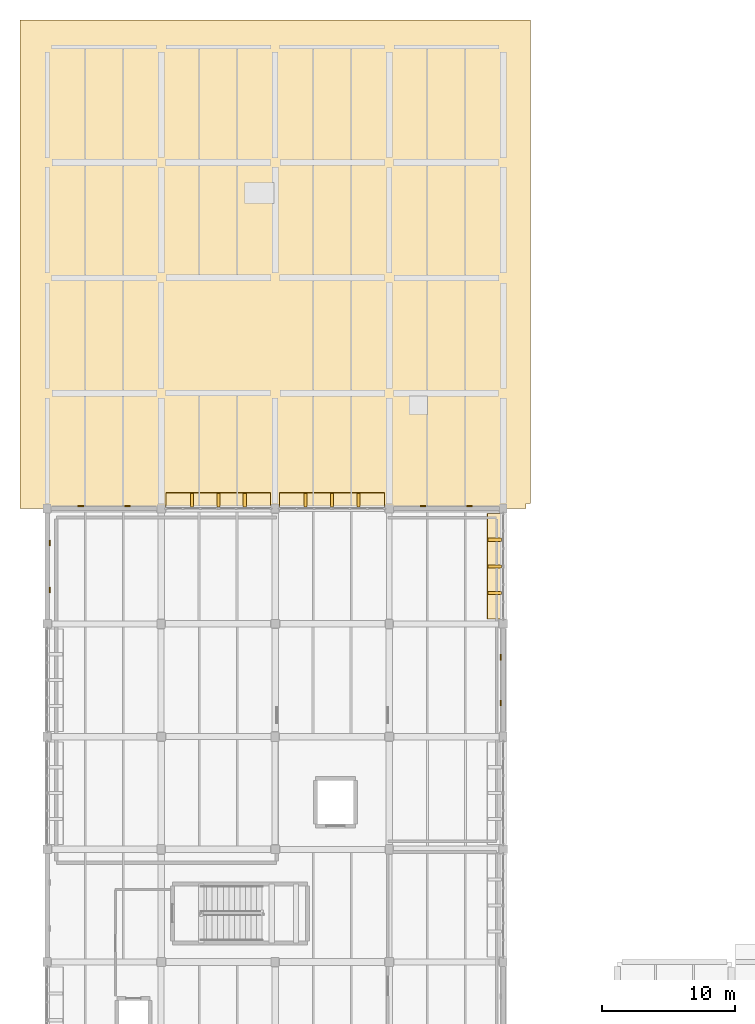
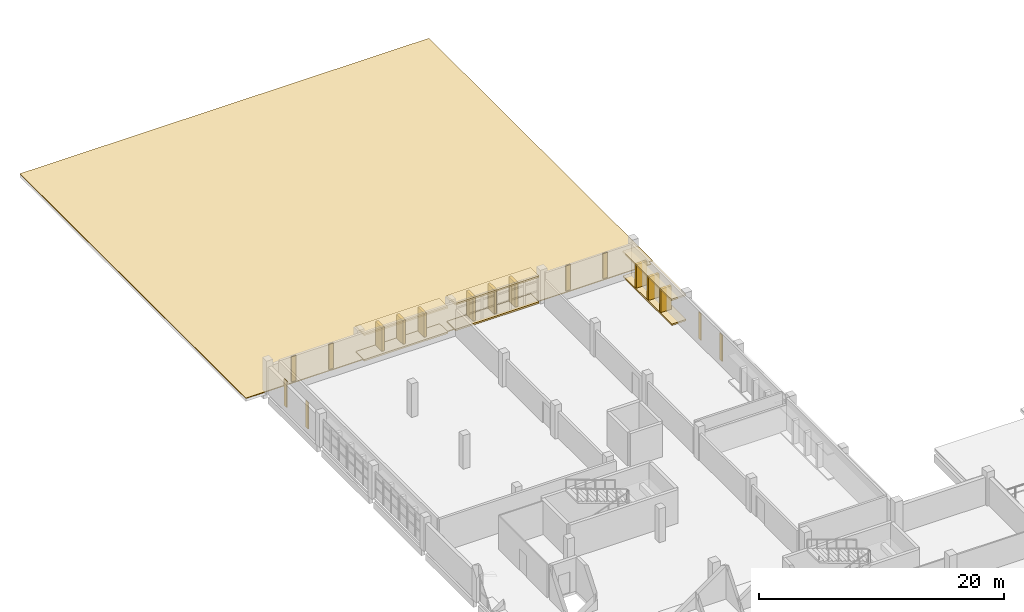
# One storey, part 92 of 93: 15 coverings, 9 shading devices.
"""IFC4 building model written with IfcOpenShell, lengths in metres."""

from ifc_helpers import new_model, si_unit, direction, frame, origin, origin_2d, place, context, subcontext, project, spatial, polyline, rectangle, outline, extrude, material, layer, layer_set, type_object, element, save


model = new_model("IFC4")

# Units and contexts
model_context = context("Model", 3, precision=1e-05, world=origin(), true_north=direction((0.0, 1.0)))
body_context = subcontext(model_context, "Body", "Model", "MODEL_VIEW")
ifc_project = project(units=[si_unit("LENGTHUNIT", "METRE"), si_unit("AREAUNIT", "SQUARE_METRE"), si_unit("VOLUMEUNIT", "CUBIC_METRE"), si_unit("PLANEANGLEUNIT", "RADIAN"), si_unit("MASSUNIT", "GRAM", prefix="KILO")], contexts=[model_context])

# Site, building, storey
site_placement = place(None, origin())
site = spatial("IfcSite", under=ifc_project, at=site_placement, CompositionType="ELEMENT")
building_placement = place(site_placement, origin())
building = spatial("IfcBuilding", under=site, at=building_placement, Name="Varnakota Cinema and Media Centre", CompositionType="ELEMENT")
storey_placement = place(building_placement, frame((0.0, 0.0, 12.0)))
storey = spatial("IfcBuildingStorey", under=building, at=storey_placement, Name="L03", CompositionType="ELEMENT", Elevation=12.0)

# Coverings
ifc_material_1 = material(Name="Precast concrete M40", Category="concrete")
ifc_layer_1 = layer(ifc_material_1, 0.159912109375)
ifc_layer_set_1 = layer_set([ifc_layer_1], Name="Precast concrete M40")
covering_type_1 = type_object("IfcCoveringType", Name="COV-CHAJJA-160", PredefinedType="CLADDING", material=ifc_layer_set_1)
covering_1_placement = place(storey_placement, frame((0.0, 0.0, 2.47509765625)))
element("IfcCovering", 1, at=covering_1_placement, inside=storey, type_object=covering_type_1, Name="L03 Brutalist chajja overhang V5-E-5", PredefinedType="CLADDING", context=body_context, shape_type="SweptSolid", body=[
    extrude(outline(polyline([(34.580078125, 69.864990234375), (34.580078125, 77.81005859375), (33.179931640625, 77.81005859375), (33.179931640625, 69.864990234375), (34.580078125, 69.864990234375)])), origin(), (0.0, 0.0, 1.0), 0.159912109375),
])
covering_2_placement = place(storey_placement, origin())
element("IfcCovering", 2, at=covering_2_placement, inside=storey, type_object=covering_type_1, Name="L03 brise-soleil base plinth V5-E-5", PredefinedType="CLADDING", context=body_context, shape_type="SweptSolid", body=[
    extrude(outline(polyline([(34.580078125, 69.864990234375), (34.580078125, 77.81005859375), (33.219970703125, 77.81005859375), (33.219970703125, 69.864990234375), (34.580078125, 69.864990234375)])), origin(), (0.0, 0.0, 1.0), 0.159912109375),
])
covering_3_placement = place(storey_placement, frame((0.0, 0.0, 2.52490234375)))
element("IfcCovering", 3, at=covering_3_placement, inside=storey, type_object=covering_type_1, Name="L03 Brutalist chajja overhang V5-N-2", PredefinedType="CLADDING", context=body_context, shape_type="SweptSolid", body=[
    extrude(outline(polyline([(8.965087890625, 78.02001953125), (16.860107421875, 78.02001953125), (16.860107421875, 79.419921875), (8.965087890625, 79.419921875), (8.965087890625, 78.02001953125)])), origin(), (0.0, 0.0, 1.0), 0.16015625),
])
covering_4_placement = place(storey_placement, origin())
element("IfcCovering", 4, at=covering_4_placement, inside=storey, type_object=covering_type_1, Name="L03 brise-soleil base plinth V5-N-2", PredefinedType="CLADDING", context=body_context, shape_type="SweptSolid", body=[
    extrude(outline(polyline([(8.965087890625, 78.02001953125), (16.860107421875, 78.02001953125), (16.860107421875, 79.3798828125), (8.965087890625, 79.3798828125), (8.965087890625, 78.02001953125)])), origin(), (0.0, 0.0, 1.0), 0.159912109375),
])
covering_5_placement = place(storey_placement, frame((0.0, 0.0, 2.574951171875)))
element("IfcCovering", 5, at=covering_5_placement, inside=storey, type_object=covering_type_1, Name="L03 Brutalist chajja overhang V5-N-3", PredefinedType="CLADDING", context=body_context, shape_type="SweptSolid", body=[
    extrude(outline(polyline([(17.5400390625, 78.02001953125), (25.43505859375, 78.02001953125), (25.43505859375, 79.419921875), (17.5400390625, 79.419921875), (17.5400390625, 78.02001953125)])), origin(), (0.0, 0.0, 1.0), 0.16015625),
])
covering_6_placement = place(storey_placement, origin())
element("IfcCovering", 6, at=covering_6_placement, inside=storey, type_object=covering_type_1, Name="L03 brise-soleil base plinth V5-N-3", PredefinedType="CLADDING", context=body_context, shape_type="SweptSolid", body=[
    extrude(outline(polyline([(17.5400390625, 78.02001953125), (25.43505859375, 78.02001953125), (25.43505859375, 79.3798828125), (17.5400390625, 79.3798828125), (17.5400390625, 78.02001953125)])), origin(), (0.0, 0.0, 1.0), 0.159912109375),
])
ifc_material_2 = material(Name="Pale Tandur limestone cool roof", Category="masonry")
ifc_layer_2 = layer(ifc_material_2, 0.080078125)
ifc_layer_set_2 = layer_set([ifc_layer_2], Name="Pale Tandur limestone cool roof")
covering_type_2 = type_object("IfcCoveringType", Name="COV-COOLROOF-80", PredefinedType="ROOFING", material=ifc_layer_set_2)
covering_7_placement = place(storey_placement, origin())
element("IfcCovering", 7, at=covering_7_placement, inside=storey, type_object=covering_type_2, Name="L03 cool roof membrane ROOF-V7-MAIN", PredefinedType="ROOFING", context=body_context, shape_type="SweptSolid", body=[
    extrude(outline(polyline([(-2.050048828125, 78.219970703125), (36.10009765625, 78.219970703125), (36.10009765625, 78.570068359375), (36.449951171875, 78.570068359375), (36.449951171875, 115.050048828125), (-2.050048828125, 115.050048828125), (-2.050048828125, 78.219970703125)])), origin(), (0.0, 0.0, 1.0), 0.080078125),
])
ifc_material_3 = material(Name="Pale Tandur limestone cladding", Category="masonry")
ifc_layer_3 = layer(ifc_material_3, 0.06005859375)
ifc_layer_set_3 = layer_set([ifc_layer_3], Name="Pale Tandur limestone cladding")
covering_type_3 = type_object("IfcCoveringType", Name="COV-TANDUR-ASHLAR-60", PredefinedType="CLADDING", material=ifc_layer_set_3)
for number, where, z_axis, x_axis, name in (
    (8, (34.215087890625, 63.541015625, 0.06005859375), (0.0, 0.0, 1.0), (0.0, 1.0, 0.0), "L03 acoustic studio stone relief pilaster V5-E-4.1"),
    (9, (34.215087890625, 66.98388671875, 0.06005859375), (0.0, 0.0, 1.0), (0.0, 1.0, 0.0), "L03 acoustic studio stone relief pilaster V5-E-4.2"),
):
    element("IfcCovering", number, at=place(storey_placement, frame(where, z_axis=z_axis, x_axis=x_axis)), inside=storey, type_object=covering_type_3, Name=name, PredefinedType="CLADDING", context=body_context, shape_type="SweptSolid", body=[
        extrude(rectangle(XDim=0.419921875, YDim=0.080078125, at=origin_2d()), origin(), (0.0, 0.0, 1.0), 2.614990234375),
    ])
for number, where, z_axis, x_axis, name in (
    (10, (2.532958984375, 78.385009765625, 0.06005859375), (0.0, 0.0, 1.0), (1.0, 0.0, 0.0), "L03 acoustic studio stone relief pilaster V5-N-1.1"),
    (11, (6.0419921875, 78.385009765625, 0.06005859375), (0.0, 0.0, 1.0), (1.0, 0.0, 0.0), "L03 acoustic studio stone relief pilaster V5-N-1.2"),
    (12, (28.35791015625, 78.385009765625, 0.06005859375), (0.0, 0.0, 1.0), (1.0, 0.0, 0.0), "L03 acoustic studio stone relief pilaster V5-N-4.1"),
    (13, (31.866943359375, 78.385009765625, 0.06005859375), (0.0, 0.0, 1.0), (1.0, 0.0, 0.0), "L03 acoustic studio stone relief pilaster V5-N-4.2"),
):
    element("IfcCovering", number, at=place(storey_placement, frame(where, z_axis=z_axis, x_axis=x_axis)), inside=storey, type_object=covering_type_3, Name=name, PredefinedType="CLADDING", context=body_context, shape_type="SweptSolid", body=[
        extrude(rectangle(XDim=0.419921875, YDim=0.080078125, at=origin_2d()), origin(), (0.0, 0.0, 1.0), 2.514892578125),
    ])
for number, where, z_axis, x_axis, name in (
    (14, (0.18505859375, 75.60302734375, 0.06005859375), (0.0, 0.0, 1.0), (0.0, -1.0, 0.0), "L03 acoustic studio stone relief pilaster V5-W-1.1"),
    (15, (0.18505859375, 72.072021484375, 0.06005859375), (0.0, 0.0, 1.0), (0.0, -1.0, 0.0), "L03 acoustic studio stone relief pilaster V5-W-1.2"),
):
    element("IfcCovering", number, at=place(storey_placement, frame(where, z_axis=z_axis, x_axis=x_axis)), inside=storey, type_object=covering_type_3, Name=name, PredefinedType="CLADDING", context=body_context, shape_type="SweptSolid", body=[
        extrude(rectangle(XDim=0.419921875, YDim=0.080078125, at=origin_2d()), origin(), (0.0, 0.0, 1.0), 2.614990234375),
    ])

# Shading devices
ifc_material_4 = material(Name="Precast concrete M40", Category="concrete")
shading_device_type = type_object("IfcShadingDeviceType", Name="SHD-BRISE-FIN-240", PredefinedType="JALOUSIE", material=ifc_material_4)
for number, where, z_axis, x_axis, name in (
    (16, (33.77001953125, 71.831298828125, 0.14990234375), (0.0, 0.0, 1.0), (0.0, 1.0, 0.0), "L03 vertical concrete brise-soleil fin V5-E-5.1"),
    (17, (33.77001953125, 73.83740234375, 0.14990234375), (0.0, 0.0, 1.0), (0.0, 1.0, 0.0), "L03 vertical concrete brise-soleil fin V5-E-5.2"),
    (18, (33.77001953125, 75.84375, 0.14990234375), (0.0, 0.0, 1.0), (0.0, 1.0, 0.0), "L03 vertical concrete brise-soleil fin V5-E-5.3"),
):
    element("IfcShadingDevice", number, at=place(storey_placement, frame(where, z_axis=z_axis, x_axis=x_axis)), inside=storey, type_object=shading_device_type, Name=name, PredefinedType="JALOUSIE", context=body_context, shape_type="SweptSolid", body=[
        extrude(rectangle(XDim=0.239990234375, YDim=1.02001953125, at=origin_2d()), origin(), (0.0, 0.0, 1.0), 2.3349609375),
    ])
for number, where, z_axis, x_axis, name in (
    (19, (10.918701171875, 78.830078125, 0.14990234375), (0.0, 0.0, 1.0), (1.0, 0.0, 0.0), "L03 vertical concrete brise-soleil fin V5-N-2.1"),
    (20, (12.91259765625, 78.830078125, 0.14990234375), (0.0, 0.0, 1.0), (1.0, 0.0, 0.0), "L03 vertical concrete brise-soleil fin V5-N-2.2"),
    (21, (14.90625, 78.830078125, 0.14990234375), (0.0, 0.0, 1.0), (1.0, 0.0, 0.0), "L03 vertical concrete brise-soleil fin V5-N-2.3"),
):
    element("IfcShadingDevice", number, at=place(storey_placement, frame(where, z_axis=z_axis, x_axis=x_axis)), inside=storey, type_object=shading_device_type, Name=name, PredefinedType="JALOUSIE", context=body_context, shape_type="SweptSolid", body=[
        extrude(rectangle(XDim=0.239990234375, YDim=1.02001953125, at=origin_2d()), origin(), (0.0, 0.0, 1.0), 2.385009765625),
    ])
for number, where, z_axis, x_axis, name in (
    (22, (19.493896484375, 78.830078125, 0.14990234375), (0.0, 0.0, 1.0), (1.0, 0.0, 0.0), "L03 vertical concrete brise-soleil fin V5-N-3.1"),
    (23, (21.487548828125, 78.830078125, 0.14990234375), (0.0, 0.0, 1.0), (1.0, 0.0, 0.0), "L03 vertical concrete brise-soleil fin V5-N-3.2"),
    (24, (23.481201171875, 78.830078125, 0.14990234375), (0.0, 0.0, 1.0), (1.0, 0.0, 0.0), "L03 vertical concrete brise-soleil fin V5-N-3.3"),
):
    element("IfcShadingDevice", number, at=place(storey_placement, frame(where, z_axis=z_axis, x_axis=x_axis)), inside=storey, type_object=shading_device_type, Name=name, PredefinedType="JALOUSIE", context=body_context, shape_type="SweptSolid", body=[
        extrude(rectangle(XDim=0.239990234375, YDim=1.02001953125, at=origin_2d()), origin(), (0.0, 0.0, 1.0), 2.43505859375),
    ])

save(model, "model.ifc")
